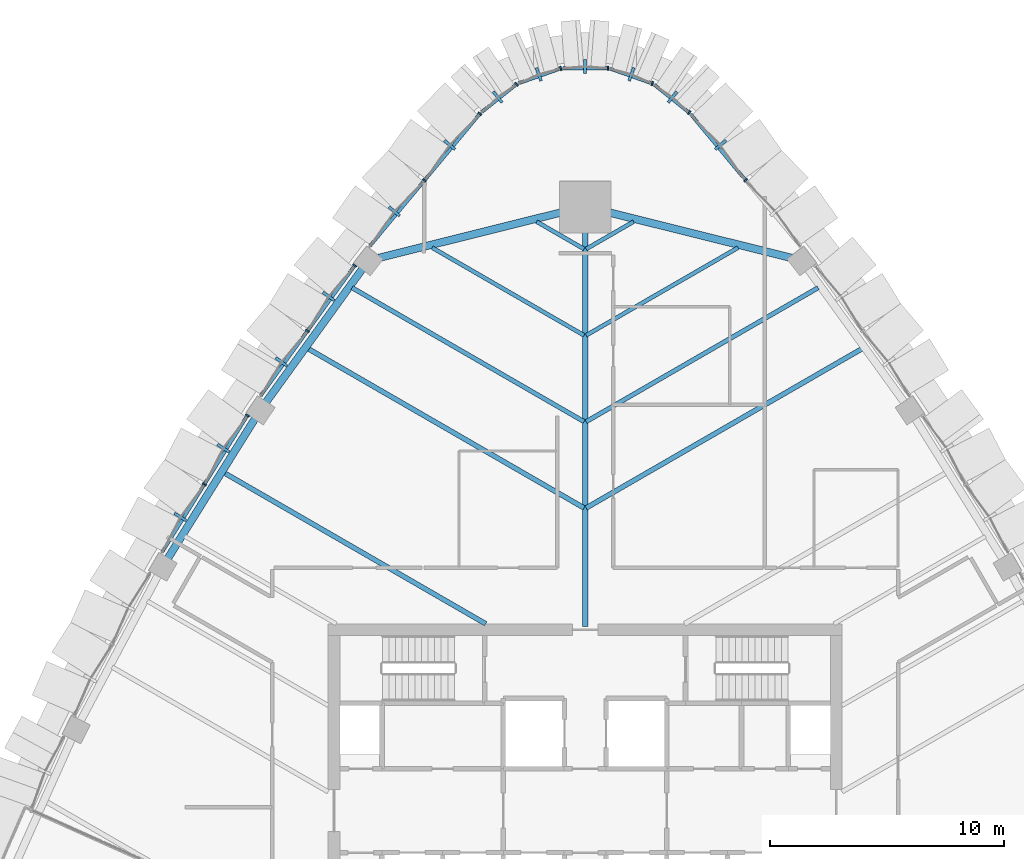
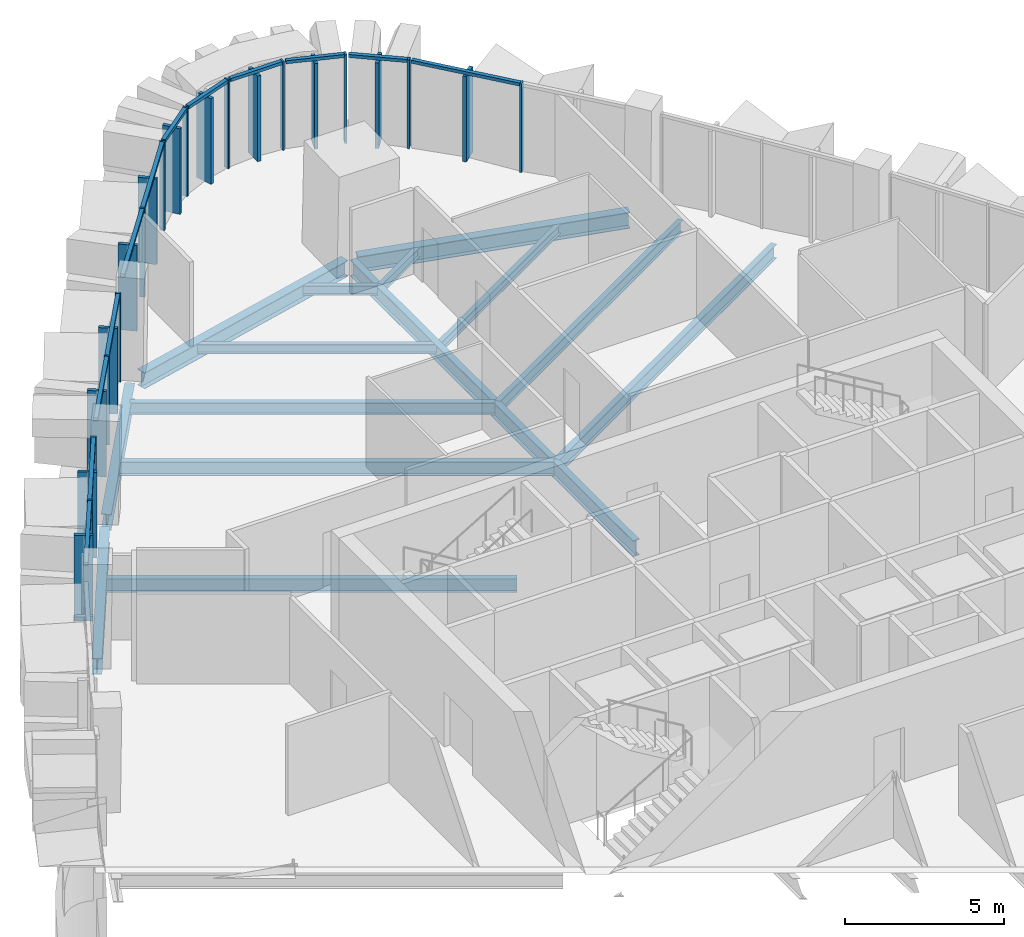
# One storey, part 6 of 22: 36 members, 14 beams, 9 elements without a shape of their own.
"""IFC4 building model written with IfcOpenShell, lengths in metres."""

import ifcopenshell
import ifcopenshell.guid

model = None  # the IFC model being written
_history = None  # IfcOwnerHistory: only IFC2X3 demands one
_inside = {}  # id of a spatial element -> (the spatial element, [elements in it])
_under = {}  # id of a project, library or spatial element -> (it, [spatial elements below it])
_declared = {}  # id of a project -> (the project, [libraries it declares])
_typed = {}  # id of a type object -> (the type object, [elements of that type])
_made_of = {}  # id of a material, layer set ... -> (it, [elements and type objects made of it])


def new_model(schema):
    """Start an empty IFC model of exactly this schema.

    Asked for "IFC4X3", IfcOpenShell would pick the latest addendum, in which some entities
    have other attributes; the version numbers below select the first issue.
    IFC2X3 requires an IfcOwnerHistory on every rooted entity: one is made here for all.
    """
    global model, _history
    if schema == "IFC4X3":
        model = ifcopenshell.file(schema_version=(4, 3, 0, 0))
    else:
        model = ifcopenshell.file(schema=schema)
    _inside.clear()
    _under.clear()
    _declared.clear()
    _typed.clear()
    _made_of.clear()
    _history = None
    if model.schema == "IFC2X3":
        org = make("IfcOrganization", Name="unknown")
        user = make(
            "IfcPersonAndOrganization",
            ThePerson=make("IfcPerson", FamilyName="unknown"),
            TheOrganization=org,
        )
        app = make(
            "IfcApplication",
            ApplicationDeveloper=org,
            Version="unknown",
            ApplicationFullName="unknown",
            ApplicationIdentifier="unknown",
        )
        _history = make(
            "IfcOwnerHistory",
            OwningUser=user,
            OwningApplication=app,
            ChangeAction="ADDED",
            CreationDate=0,
        )
    return model


def make(cls, **values):
    """One entity of the class cls with the attributes given. An attribute that is None is left unset."""
    return model.create_entity(
        cls, **{name: value for name, value in values.items() if value is not None}
    )


def rooted(cls, **values):
    """An entity with a GlobalId (a new one), such as an element, a storey or a relation."""
    return make(cls, GlobalId=ifcopenshell.guid.new(), OwnerHistory=_history, **values)


def si_unit(unit_type, name, prefix=None):
    """IfcSIUnit, for example si_unit("LENGTHUNIT", "METRE", prefix="MILLI")."""
    return make("IfcSIUnit", UnitType=unit_type, Prefix=prefix, Name=name)


def assignment(units):
    """IfcUnitAssignment: the units of a project."""
    return None if units is None else make("IfcUnitAssignment", Units=units)


def point(xyz):
    """IfcCartesianPoint."""
    return None if xyz is None else make("IfcCartesianPoint", Coordinates=xyz)


def direction(xyz):
    """IfcDirection."""
    return None if xyz is None else make("IfcDirection", DirectionRatios=xyz)


def frame(location, z_axis=None, x_axis=None):
    """IfcAxis2Placement3D, a coordinate frame: its origin and axes. An axis left out is left unset."""
    return make(
        "IfcAxis2Placement3D",
        Location=point(location),
        Axis=direction(z_axis),
        RefDirection=direction(x_axis),
    )


def frame_2d(location, x_axis=None):
    """IfcAxis2Placement2D, a coordinate frame in the plane: its origin and x axis."""
    return make(
        "IfcAxis2Placement2D", Location=point(location), RefDirection=direction(x_axis)
    )


def origin():
    """The frame at (0, 0, 0) with its axes left unset."""
    return frame((0.0, 0.0, 0.0))


def origin_2d():
    """The frame at (0, 0) in the plane with its x axis left unset."""
    return frame_2d((0.0, 0.0))


def place(relative_to, where):
    """IfcLocalPlacement: puts the frame where relative to a parent placement (None: the world)."""
    return make(
        "IfcLocalPlacement", PlacementRelTo=relative_to, RelativePlacement=where
    )


def context(
    kind, dimensions, precision=None, world=None, true_north=None, identifier=None
):
    """IfcGeometricRepresentationContext, for example the 3D "Model" context."""
    return make(
        "IfcGeometricRepresentationContext",
        ContextIdentifier=identifier,
        ContextType=kind,
        CoordinateSpaceDimension=dimensions,
        Precision=precision,
        WorldCoordinateSystem=world,
        TrueNorth=true_north,
    )


def subcontext(parent, identifier, kind, view, scale=None):
    """IfcGeometricRepresentationSubContext, for example "Body" below "Model"."""
    return make(
        "IfcGeometricRepresentationSubContext",
        ContextIdentifier=identifier,
        ContextType=kind,
        ParentContext=parent,
        TargetScale=scale,
        TargetView=view,
    )


def project(units=None, contexts=None):
    """IfcProject with its units and contexts."""
    return rooted(
        "IfcProject",
        Name="project",
        RepresentationContexts=contexts,
        UnitsInContext=assignment(units),
    )


def spatial(cls, under=None, at=None, **own):
    """A site, building, storey or space (cls), placed at a placement, below another one or the project."""
    s = rooted(cls, ObjectPlacement=at, **own)
    if under is not None:
        _under.setdefault(under.id(), (under, []))[1].append(s)
    return s


def profile(cls, at=None, kind="AREA", **sizes):
    """A parametric profile (cls). Its sizes go by their IFC names, for example OverallWidth=200.0."""
    return make(cls, ProfileType=kind, Position=at, **sizes)


def rectangle(**sizes):
    """IfcRectangleProfileDef."""
    return profile("IfcRectangleProfileDef", **sizes)


def i_section(**sizes):
    """IfcIShapeProfileDef."""
    return profile("IfcIShapeProfileDef", **sizes)


def extrude(swept, where, along, depth):
    """IfcExtrudedAreaSolid: the profile swept, set in the frame where, extruded along a direction by depth."""
    return make(
        "IfcExtrudedAreaSolid",
        SweptArea=swept,
        Position=where,
        ExtrudedDirection=direction(along),
        Depth=depth,
    )


def shape(context_of_items, identifier, shape_type, items):
    """IfcShapeRepresentation: the items that make up one representation, for example the "Body"."""
    return make(
        "IfcShapeRepresentation",
        ContextOfItems=context_of_items,
        RepresentationIdentifier=identifier,
        RepresentationType=shape_type,
        Items=items,
    )


def material(Name=None, Category=None):
    """IfcMaterial."""
    return make("IfcMaterial", Name=Name, Category=Category)


def layer(
    of_material, thickness, ventilated=None, Name=None, Category=None, Priority=None
):
    """IfcMaterialLayer: one layer of a wall or slab, of a material (None: an air gap)."""
    return make(
        "IfcMaterialLayer",
        Material=of_material,
        LayerThickness=thickness,
        IsVentilated=ventilated,
        Name=Name,
        Category=Category,
        Priority=Priority,
    )


def layer_set(layers, Name=None):
    """IfcMaterialLayerSet."""
    return make("IfcMaterialLayerSet", MaterialLayers=layers, LayerSetName=Name)


def material_profile(
    of_material, cross_section, Name=None, Category=None, Priority=None
):
    """IfcMaterialProfile: a cross section and its material."""
    return make(
        "IfcMaterialProfile",
        Name=Name,
        Material=of_material,
        Profile=cross_section,
        Priority=Priority,
        Category=Category,
    )


def profile_set(profiles, Name=None, composite=None):
    """IfcMaterialProfileSet."""
    return make(
        "IfcMaterialProfileSet",
        Name=Name,
        MaterialProfiles=profiles,
        CompositeProfile=composite,
    )


def made_of(thing, what):
    """Note that an element or type object is made of a material, layer set ...; save() writes the relation."""
    if what is not None:
        _made_of.setdefault(what.id(), (what, []))[1].append(thing)
    return thing


def type_object(cls, material=None, **own):
    """A type object (cls), such as IfcWallType, which elements share."""
    return made_of(rooted(cls, **own), material)


def element(
    cls,
    number,
    at=None,
    inside=None,
    cuts=None,
    type_object=None,
    material=None,
    context=None,
    identifier="Body",
    shape_type=None,
    held_by="IfcProductDefinitionShape",
    body=None,
    shapes=None,
    **own,
):
    """One element of the class cls, such as IfcWall. Its Tag is "e" and its number.

    at: its placement. inside: the storey or other place that contains it. cuts: it is an
    opening in that element (IfcRelVoidsElement). A single representation is given by context,
    identifier, shape_type and body (its items); several are given by shapes. held_by: the class
    of the entity that holds the representations. save() writes the other relations.
    """
    e = rooted(cls, Tag="e%d" % number, ObjectPlacement=at, **own)
    if body is not None:
        shapes = [shape(context, identifier, shape_type, body)]
    if shapes is not None:
        e.Representation = make(held_by, Representations=shapes)
    if inside is not None:
        _inside.setdefault(inside.id(), (inside, []))[1].append(e)
    if cuts is not None:
        rooted(
            "IfcRelVoidsElement", RelatingBuildingElement=cuts, RelatedOpeningElement=e
        )
    if type_object is not None:
        _typed.setdefault(type_object.id(), (type_object, []))[1].append(e)
    return made_of(e, material)


def aggregate(whole, parts):
    """IfcRelAggregates: a whole, such as a stair, and the parts it consists of."""
    return rooted("IfcRelAggregates", RelatingObject=whole, RelatedObjects=parts)


def save(model, path):
    """Write the relations noted so far, then the file.

    IfcRelAggregates (storeys below a building ...), IfcRelContainedInSpatialStructure (elements
    in a storey), IfcRelDefinesByType, IfcRelAssociatesMaterial and IfcRelDeclares: one each for
    every whole, place, type object, material and project.
    """
    for whole, parts in _under.values():
        aggregate(whole, parts)
    for where, things in _inside.values():
        rooted(
            "IfcRelContainedInSpatialStructure",
            RelatedElements=things,
            RelatingStructure=where,
        )
    for kind, things in _typed.values():
        rooted("IfcRelDefinesByType", RelatedObjects=things, RelatingType=kind)
    for what, things in _made_of.values():
        rooted("IfcRelAssociatesMaterial", RelatedObjects=things, RelatingMaterial=what)
    for by, libraries in _declared.values():
        rooted("IfcRelDeclares", RelatingContext=by, RelatedDefinitions=libraries)
    model.write(path)


model = new_model("IFC4")

# Units and contexts
model_context = context("Model", 3, precision=1e-05, world=origin(), true_north=direction((0.0, 1.0)))
body_context = subcontext(model_context, "Body", "Model", "MODEL_VIEW")
ifc_project = project(units=[si_unit("LENGTHUNIT", "METRE"), si_unit("AREAUNIT", "SQUARE_METRE"), si_unit("VOLUMEUNIT", "CUBIC_METRE"), si_unit("PLANEANGLEUNIT", "RADIAN"), si_unit("MASSUNIT", "GRAM", prefix="KILO")], contexts=[model_context])

# Site, building, storey
site_placement = place(None, origin())
site = spatial("IfcSite", under=ifc_project, at=site_placement, CompositionType="ELEMENT")
building_placement = place(site_placement, origin())
building = spatial("IfcBuilding", under=site, at=building_placement, Name="Sierra Prisma Convention Tower", CompositionType="ELEMENT")
storey_placement = place(building_placement, frame((0.0, 0.0, 227.0)))
storey = spatial("IfcBuildingStorey", under=building, at=storey_placement, Name="L50", CompositionType="ELEMENT", Elevation=227.0)

# Curtain wall, member
ifc_material_1 = material(Name="Aluminium and glass curtain wall", Category="aluminium")
ifc_layer = layer(ifc_material_1, 0.179931640625)
ifc_layer_set = layer_set([ifc_layer], Name="CW-2 Faceted crystal curtain wall")
curtain_wall_type = type_object("IfcCurtainWallType", Name="CW-2 Faceted crystal curtain wall", PredefinedType="NOTDEFINED", material=ifc_layer_set)
curtain_wall_1_placement = place(storey_placement, origin())
curtain_wall_1 = element("IfcCurtainWall", 1, at=curtain_wall_1_placement, inside=storey, type_object=curtain_wall_type, Name="CW-2 NE6 L50", PredefinedType="NOTDEFINED")
ifc_material_2 = material(Name="Aluminium 6063-T6 bronze anodised", Category="aluminium")
ifc_material_profile_1 = material_profile(ifc_material_2, rectangle(XDim=0.1201171875, YDim=0.60009765625, at=origin_2d()), Name="ALU RIDGE BLADE 120x600")
ifc_profile_set_1 = profile_set([ifc_material_profile_1], Name="Aluminium 6063-T6 bronze anodised")
member_type_1 = type_object("IfcMemberType", Name="CW hip bronze", PredefinedType="MULLION", material=ifc_profile_set_1)
member_1_placement = place(storey_placement, frame((5.801513671875, 28.50732421875, 0.0), z_axis=(0.0, 0.0, 1.0), x_axis=(-0.639492009569, 0.768797743036, 0.0)))
member_1 = element("IfcMember", 2, at=member_1_placement, type_object=member_type_1, Name="CW-2 ridge NE6.2", PredefinedType="MULLION", context=body_context, shape_type="SweptSolid", body=[
    extrude(rectangle(XDim=0.1201171875, YDim=0.60009765625, at=origin_2d()), origin(), (0.0, 0.0, 1.0), 3.280029296875),
])

curtain_wall_2_placement = place(storey_placement, origin())
curtain_wall_2 = element("IfcCurtainWall", 3, at=curtain_wall_2_placement, inside=storey, type_object=curtain_wall_type, Name="CW-2 N1 L50", PredefinedType="NOTDEFINED")
member_2_placement = place(storey_placement, frame((3.74365234375, 30.553466796875, 0.0), z_axis=(0.0, 0.0, 1.0), x_axis=(-0.781126060135, 0.624373348388, 0.0)))
member_2 = element("IfcMember", 4, at=member_2_placement, type_object=member_type_1, Name="CW-2 ridge N1.1", PredefinedType="MULLION", context=body_context, shape_type="SweptSolid", body=[
    extrude(rectangle(XDim=0.1201171875, YDim=0.60009765625, at=origin_2d()), origin(), (0.0, 0.0, 1.0), 3.280029296875),
])

curtain_wall_3_placement = place(storey_placement, origin())
curtain_wall_3 = element("IfcCurtainWall", 5, at=curtain_wall_3_placement, inside=storey, type_object=curtain_wall_type, Name="CW-2 N2 L50", PredefinedType="NOTDEFINED")
member_3_placement = place(storey_placement, frame((1.9833984375, 31.5283203125, 0.0), z_axis=(0.0, 0.0, 1.0), x_axis=(-0.943696471363, 0.330812590356, 0.0)))
member_3 = element("IfcMember", 6, at=member_3_placement, type_object=member_type_1, Name="CW-2 ridge N2.1", PredefinedType="MULLION", context=body_context, shape_type="SweptSolid", body=[
    extrude(rectangle(XDim=0.1201171875, YDim=0.60009765625, at=origin_2d()), origin(), (0.0, 0.0, 1.0), 3.280029296875),
])

curtain_wall_4_placement = place(storey_placement, origin())
curtain_wall_4 = element("IfcCurtainWall", 7, at=curtain_wall_4_placement, inside=storey, type_object=curtain_wall_type, Name="CW-2 N3 L50", PredefinedType="NOTDEFINED")
member_4_placement = place(storey_placement, frame((0.0, 31.86572265625, 0.0), z_axis=(0.0, 0.0, 1.0), x_axis=(-1.0, 0.0, 0.0)))
member_4 = element("IfcMember", 8, at=member_4_placement, type_object=member_type_1, Name="CW-2 ridge N3.1", PredefinedType="MULLION", context=body_context, shape_type="SweptSolid", body=[
    extrude(rectangle(XDim=0.1201171875, YDim=0.60009765625, at=origin_2d()), origin(), (0.0, 0.0, 1.0), 3.280029296875),
])

curtain_wall_5_placement = place(storey_placement, origin())
curtain_wall_5 = element("IfcCurtainWall", 9, at=curtain_wall_5_placement, inside=storey, type_object=curtain_wall_type, Name="CW-2 N4 L50", PredefinedType="NOTDEFINED")
member_5_placement = place(storey_placement, frame((-1.9833984375, 31.5283203125, 0.0), z_axis=(0.0, 0.0, 1.0), x_axis=(-0.943696471363, -0.330812590356, 0.0)))
member_5 = element("IfcMember", 10, at=member_5_placement, type_object=member_type_1, Name="CW-2 ridge N4.1", PredefinedType="MULLION", context=body_context, shape_type="SweptSolid", body=[
    extrude(rectangle(XDim=0.1201171875, YDim=0.60009765625, at=origin_2d()), origin(), (0.0, 0.0, 1.0), 3.280029296875),
])

curtain_wall_6_placement = place(storey_placement, origin())
curtain_wall_6 = element("IfcCurtainWall", 11, at=curtain_wall_6_placement, inside=storey, type_object=curtain_wall_type, Name="CW-2 N5 L50", PredefinedType="NOTDEFINED")
member_6_placement = place(storey_placement, frame((-3.74365234375, 30.553466796875, 0.0), z_axis=(0.0, 0.0, 1.0), x_axis=(-0.781126060135, -0.624373348388, 0.0)))
member_6 = element("IfcMember", 12, at=member_6_placement, type_object=member_type_1, Name="CW-2 ridge N5.1", PredefinedType="MULLION", context=body_context, shape_type="SweptSolid", body=[
    extrude(rectangle(XDim=0.1201171875, YDim=0.60009765625, at=origin_2d()), origin(), (0.0, 0.0, 1.0), 3.280029296875),
])

# Curtain wall, members
curtain_wall_7_placement = place(storey_placement, origin())
curtain_wall_7 = element("IfcCurtainWall", 13, at=curtain_wall_7_placement, inside=storey, type_object=curtain_wall_type, Name="CW-2 NW1 L50", PredefinedType="NOTDEFINED")
member_7_placement = place(storey_placement, frame((-5.801513671875, 28.50732421875, 0.0), z_axis=(0.0, 0.0, 1.0), x_axis=(-0.639492009569, -0.768797743036, 0.0)))
member_7 = element("IfcMember", 14, at=member_7_placement, type_object=member_type_1, Name="CW-2 ridge NW1.1", PredefinedType="MULLION", context=body_context, shape_type="SweptSolid", body=[
    extrude(rectangle(XDim=0.1201171875, YDim=0.60009765625, at=origin_2d()), origin(), (0.0, 0.0, 1.0), 3.280029296875),
])
member_8_placement = place(storey_placement, frame((-8.170166015625, 25.65966796875, 0.0), z_axis=(0.0, 0.0, 1.0), x_axis=(-0.639492009569, -0.768797743036, 0.0)))
member_8 = element("IfcMember", 15, at=member_8_placement, type_object=member_type_1, Name="CW-2 ridge NW1.2", PredefinedType="MULLION", context=body_context, shape_type="SweptSolid", body=[
    extrude(rectangle(XDim=0.1201171875, YDim=0.60009765625, at=origin_2d()), origin(), (0.0, 0.0, 1.0), 3.280029296875),
])

curtain_wall_8_placement = place(storey_placement, origin())
curtain_wall_8 = element("IfcCurtainWall", 16, at=curtain_wall_8_placement, inside=storey, type_object=curtain_wall_type, Name="CW-2 NW2 L50", PredefinedType="NOTDEFINED")
member_9_placement = place(storey_placement, frame((-10.98486328125, 22.02001953125, 0.0), z_axis=(0.0, 0.0, 1.0), x_axis=(-0.58569876934, -0.810528809848, 0.0)))
member_9 = element("IfcMember", 17, at=member_9_placement, type_object=member_type_1, Name="CW-2 ridge NW2.1", PredefinedType="MULLION", context=body_context, shape_type="SweptSolid", body=[
    extrude(rectangle(XDim=0.1201171875, YDim=0.60009765625, at=origin_2d()), origin(), (0.0, 0.0, 1.0), 3.280029296875),
])
member_10_placement = place(storey_placement, frame((-13.009521484375, 19.218017578125, 0.0), z_axis=(0.0, 0.0, 1.0), x_axis=(-0.58569876934, -0.810528809848, 0.0)))
member_10 = element("IfcMember", 18, at=member_10_placement, type_object=member_type_1, Name="CW-2 ridge NW2.2", PredefinedType="MULLION", context=body_context, shape_type="SweptSolid", body=[
    extrude(rectangle(XDim=0.1201171875, YDim=0.60009765625, at=origin_2d()), origin(), (0.0, 0.0, 1.0), 3.280029296875),
])

curtain_wall_9_placement = place(storey_placement, origin())
curtain_wall_9 = element("IfcCurtainWall", 19, at=curtain_wall_9_placement, inside=storey, type_object=curtain_wall_type, Name="CW-2 NW3 L50", PredefinedType="NOTDEFINED")
member_11_placement = place(storey_placement, frame((-15.493408203125, 15.521484375, 0.0), z_axis=(0.0, 0.0, 1.0), x_axis=(-0.52919070132, -0.848502917872, 0.0)))
member_11 = element("IfcMember", 20, at=member_11_placement, type_object=member_type_1, Name="CW-2 ridge NW3.1", PredefinedType="MULLION", context=body_context, shape_type="SweptSolid", body=[
    extrude(rectangle(XDim=0.1201171875, YDim=0.60009765625, at=origin_2d()), origin(), (0.0, 0.0, 1.0), 3.280029296875),
])
member_12_placement = place(storey_placement, frame((-17.331298828125, 12.574951171875, 0.0), z_axis=(0.0, 0.0, 1.0), x_axis=(-0.52919070132, -0.848502917872, 0.0)))
member_12 = element("IfcMember", 21, at=member_12_placement, type_object=member_type_1, Name="CW-2 ridge NW3.2", PredefinedType="MULLION", context=body_context, shape_type="SweptSolid", body=[
    extrude(rectangle(XDim=0.1201171875, YDim=0.60009765625, at=origin_2d()), origin(), (0.0, 0.0, 1.0), 3.280029296875),
])

# Member
ifc_material_3 = material(Name="Aluminium 6063-T6 bronze anodised", Category="aluminium")
ifc_material_profile_2 = material_profile(ifc_material_3, rectangle(XDim=0.179931640625, YDim=0.070068359375, at=origin_2d()), Name="ALU MULLION 70x180")
ifc_profile_set_2 = profile_set([ifc_material_profile_2], Name="Aluminium 6063-T6 bronze anodised")
member_type_2 = type_object("IfcMemberType", Name="CW mullion bronze", PredefinedType="MULLION", material=ifc_profile_set_2)
member_13_placement = place(storey_placement, frame((6.875732421875, 26.9921875, 0.0), z_axis=(0.0, 0.0, 1.0), x_axis=(-0.768797743036, -0.639492009569, 0.0)))
member_13 = element("IfcMember", 22, at=member_13_placement, type_object=member_type_2, Name="CW-1 mullion NE6.2", PredefinedType="MULLION", context=body_context, shape_type="SweptSolid", body=[
    extrude(rectangle(XDim=0.179931640625, YDim=0.070068359375, at=origin_2d()), origin(), (0.0, 0.0, 1.0), 3.39990234375),
])

member_14_placement = place(storey_placement, frame((4.45751953125, 29.888427734375, 0.0), z_axis=(0.0, 0.0, 1.0), x_axis=(-0.624373348388, -0.781126060135, 0.0)))
member_14 = element("IfcMember", 23, at=member_14_placement, type_object=member_type_2, Name="CW-1 mullion N1.1", PredefinedType="MULLION", context=body_context, shape_type="SweptSolid", body=[
    extrude(rectangle(XDim=0.179931640625, YDim=0.070068359375, at=origin_2d()), origin(), (0.0, 0.0, 1.0), 3.39990234375),
])

member_15_placement = place(storey_placement, frame((2.877197265625, 31.13671875, 0.0), z_axis=(0.0, 0.0, 1.0), x_axis=(-0.330812590356, -0.943696471363, 0.0)))
member_15 = element("IfcMember", 24, at=member_15_placement, type_object=member_type_2, Name="CW-1 mullion N2.1", PredefinedType="MULLION", context=body_context, shape_type="SweptSolid", body=[
    extrude(rectangle(XDim=0.179931640625, YDim=0.070068359375, at=origin_2d()), origin(), (0.0, 0.0, 1.0), 3.39990234375),
])

member_16_placement = place(storey_placement, frame((0.972900390625, 31.7919921875, 0.0), z_axis=(0.0, 0.0, 1.0), x_axis=(0.0, -1.0, 0.0)))
member_16 = element("IfcMember", 25, at=member_16_placement, type_object=member_type_2, Name="CW-1 mullion N3.1", PredefinedType="MULLION", context=body_context, shape_type="SweptSolid", body=[
    extrude(rectangle(XDim=0.179931640625, YDim=0.070068359375, at=origin_2d()), origin(), (0.0, 0.0, 1.0), 3.39990234375),
])

member_17_placement = place(storey_placement, frame((-1.041015625, 31.780517578125, 0.0), z_axis=(0.0, 0.0, 1.0), x_axis=(0.330812590356, -0.943696471363, 0.0)))
member_17 = element("IfcMember", 26, at=member_17_placement, type_object=member_type_2, Name="CW-1 mullion N4.1", PredefinedType="MULLION", context=body_context, shape_type="SweptSolid", body=[
    extrude(rectangle(XDim=0.179931640625, YDim=0.070068359375, at=origin_2d()), origin(), (0.0, 0.0, 1.0), 3.39990234375),
])

member_18_placement = place(storey_placement, frame((-2.9375, 31.103271484375, 0.0), z_axis=(0.0, 0.0, 1.0), x_axis=(0.624373348388, -0.781126060135, 0.0)))
member_18 = element("IfcMember", 27, at=member_18_placement, type_object=member_type_2, Name="CW-1 mullion N5.1", PredefinedType="MULLION", context=body_context, shape_type="SweptSolid", body=[
    extrude(rectangle(XDim=0.179931640625, YDim=0.070068359375, at=origin_2d()), origin(), (0.0, 0.0, 1.0), 3.39990234375),
])

member_19_placement = place(storey_placement, frame((-4.50732421875, 29.839599609375, 0.0), z_axis=(0.0, 0.0, 1.0), x_axis=(0.768797743036, -0.639492009569, 0.0)))
member_19 = element("IfcMember", 28, at=member_19_placement, type_object=member_type_2, Name="CW-1 mullion NW1.1", PredefinedType="MULLION", context=body_context, shape_type="SweptSolid", body=[
    extrude(rectangle(XDim=0.179931640625, YDim=0.070068359375, at=origin_2d()), origin(), (0.0, 0.0, 1.0), 3.39990234375),
])

member_20_placement = place(storey_placement, frame((-6.875732421875, 26.9921875, 0.0), z_axis=(0.0, 0.0, 1.0), x_axis=(0.768797743036, -0.639492009569, 0.0)))
member_20 = element("IfcMember", 29, at=member_20_placement, type_object=member_type_2, Name="CW-1 mullion NW1.2", PredefinedType="MULLION", context=body_context, shape_type="SweptSolid", body=[
    extrude(rectangle(XDim=0.179931640625, YDim=0.070068359375, at=origin_2d()), origin(), (0.0, 0.0, 1.0), 3.39990234375),
])

member_21_placement = place(storey_placement, frame((-9.864501953125, 23.3427734375, 0.0), z_axis=(0.0, 0.0, 1.0), x_axis=(0.810528809848, -0.58569876934, 0.0)))
member_21 = element("IfcMember", 30, at=member_21_placement, type_object=member_type_2, Name="CW-1 mullion NW2.1", PredefinedType="MULLION", context=body_context, shape_type="SweptSolid", body=[
    extrude(rectangle(XDim=0.179931640625, YDim=0.070068359375, at=origin_2d()), origin(), (0.0, 0.0, 1.0), 3.39990234375),
])

member_22_placement = place(storey_placement, frame((-11.88916015625, 20.541015625, 0.0), z_axis=(0.0, 0.0, 1.0), x_axis=(0.810528809848, -0.58569876934, 0.0)))
member_22 = element("IfcMember", 31, at=member_22_placement, type_object=member_type_2, Name="CW-1 mullion NW2.2", PredefinedType="MULLION", context=body_context, shape_type="SweptSolid", body=[
    extrude(rectangle(XDim=0.179931640625, YDim=0.070068359375, at=origin_2d()), origin(), (0.0, 0.0, 1.0), 3.39990234375),
])

member_23_placement = place(storey_placement, frame((-14.4609375, 16.924072265625, 0.0), z_axis=(0.0, 0.0, 1.0), x_axis=(0.848502917872, -0.52919070132, 0.0)))
member_23 = element("IfcMember", 32, at=member_23_placement, type_object=member_type_2, Name="CW-1 mullion NW3.1", PredefinedType="MULLION", context=body_context, shape_type="SweptSolid", body=[
    extrude(rectangle(XDim=0.179931640625, YDim=0.070068359375, at=origin_2d()), origin(), (0.0, 0.0, 1.0), 3.39990234375),
])

member_24_placement = place(storey_placement, frame((-16.298828125, 13.9775390625, 0.0), z_axis=(0.0, 0.0, 1.0), x_axis=(0.848502917872, -0.52919070132, 0.0)))
member_24 = element("IfcMember", 33, at=member_24_placement, type_object=member_type_2, Name="CW-1 mullion NW3.2", PredefinedType="MULLION", context=body_context, shape_type="SweptSolid", body=[
    extrude(rectangle(XDim=0.179931640625, YDim=0.070068359375, at=origin_2d()), origin(), (0.0, 0.0, 1.0), 3.39990234375),
])

ifc_material_4 = material(Name="Aluminium 6063-T6 bronze anodised", Category="aluminium")
ifc_material_profile_3 = material_profile(ifc_material_4, rectangle(XDim=0.139892578125, YDim=0.1201171875, at=origin_2d()), Name="ALU TRANSOM 120x140")
ifc_profile_set_3 = profile_set([ifc_material_profile_3], Name="Aluminium 6063-T6 bronze anodised")
member_type_3 = type_object("IfcMemberType", Name="CW transom bronze", PredefinedType="USERDEFINED", material=ifc_profile_set_3)
member_25_placement = place(storey_placement, frame((6.853515625, 27.01904296875, 3.340087890625), z_axis=(-0.639516731669, 0.768777178326, 0.0), x_axis=(-0.768777178326, -0.639516731669, 0.0)))
member_25 = element("IfcMember", 34, at=member_25_placement, type_object=member_type_3, Name="CW-1 transom NE6.2", ObjectType="TRANSOM", PredefinedType="USERDEFINED", context=body_context, shape_type="SweptSolid", body=[
    extrude(rectangle(XDim=0.139892578125, YDim=0.1201171875, at=origin_2d()), origin(), (0.0, 0.0, 1.0), 3.634033203125),
])

aggregate(curtain_wall_1, [member_13, member_25, member_1])

member_26_placement = place(storey_placement, frame((4.43017578125, 29.91015625, 3.340087890625), z_axis=(-0.781097294851, 0.624409333671, 0.0), x_axis=(-0.624409333671, -0.781097294851, 0.0)))
member_26 = element("IfcMember", 35, at=member_26_placement, type_object=member_type_3, Name="CW-1 transom N1.1", ObjectType="TRANSOM", PredefinedType="USERDEFINED", context=body_context, shape_type="SweptSolid", body=[
    extrude(rectangle(XDim=0.139892578125, YDim=0.1201171875, at=origin_2d()), origin(), (0.0, 0.0, 1.0), 1.8759765625),
])

aggregate(curtain_wall_2, [member_14, member_26, member_2])

member_27_placement = place(storey_placement, frame((2.84423828125, 31.148193359375, 3.340087890625), z_axis=(-0.943689826326, 0.33083154579, 0.0), x_axis=(-0.33083154579, -0.943689826326, 0.0)))
member_27 = element("IfcMember", 36, at=member_27_placement, type_object=member_type_3, Name="CW-1 transom N2.1", ObjectType="TRANSOM", PredefinedType="USERDEFINED", context=body_context, shape_type="SweptSolid", body=[
    extrude(rectangle(XDim=0.139892578125, YDim=0.1201171875, at=origin_2d()), origin(), (0.0, 0.0, 1.0), 1.8759765625),
])

aggregate(curtain_wall_3, [member_15, member_27, member_3])

member_28_placement = place(storey_placement, frame((0.93798828125, 31.7919921875, 3.340087890625), z_axis=(-1.0, 0.0, 0.0), x_axis=(0.0, -1.0, 0.0)))
member_28 = element("IfcMember", 37, at=member_28_placement, type_object=member_type_3, Name="CW-1 transom N3.1", ObjectType="TRANSOM", PredefinedType="USERDEFINED", context=body_context, shape_type="SweptSolid", body=[
    extrude(rectangle(XDim=0.139892578125, YDim=0.1201171875, at=origin_2d()), origin(), (0.0, 0.0, 1.0), 1.8759765625),
])

aggregate(curtain_wall_4, [member_16, member_28, member_4])

member_29_placement = place(storey_placement, frame((-1.073974609375, 31.768798828125, 3.340087890625), z_axis=(-0.943689826326, -0.33083154579, 0.0), x_axis=(0.33083154579, -0.943689826326, 0.0)))
member_29 = element("IfcMember", 38, at=member_29_placement, type_object=member_type_3, Name="CW-1 transom N4.1", ObjectType="TRANSOM", PredefinedType="USERDEFINED", context=body_context, shape_type="SweptSolid", body=[
    extrude(rectangle(XDim=0.139892578125, YDim=0.1201171875, at=origin_2d()), origin(), (0.0, 0.0, 1.0), 1.8759765625),
])

aggregate(curtain_wall_5, [member_17, member_29, member_5])

member_30_placement = place(storey_placement, frame((-2.96484375, 31.08154296875, 3.340087890625), z_axis=(-0.781097294851, -0.624409333671, 0.0), x_axis=(0.624409333671, -0.781097294851, 0.0)))
member_30 = element("IfcMember", 39, at=member_30_placement, type_object=member_type_3, Name="CW-1 transom N5.1", ObjectType="TRANSOM", PredefinedType="USERDEFINED", context=body_context, shape_type="SweptSolid", body=[
    extrude(rectangle(XDim=0.139892578125, YDim=0.1201171875, at=origin_2d()), origin(), (0.0, 0.0, 1.0), 1.8759765625),
])

aggregate(curtain_wall_6, [member_18, member_30, member_6])

member_31_placement = place(storey_placement, frame((-4.529541015625, 29.812744140625, 3.340087890625), z_axis=(-0.639516731669, -0.768777178326, 0.0), x_axis=(0.768777178326, -0.639516731669, 0.0)))
member_31 = element("IfcMember", 40, at=member_31_placement, type_object=member_type_3, Name="CW-1 transom NW1.1", ObjectType="TRANSOM", PredefinedType="USERDEFINED", context=body_context, shape_type="SweptSolid", body=[
    extrude(rectangle(XDim=0.139892578125, YDim=0.1201171875, at=origin_2d()), origin(), (0.0, 0.0, 1.0), 3.634033203125),
])

member_32_placement = place(storey_placement, frame((-6.898193359375, 26.965087890625, 3.340087890625), z_axis=(-0.639477022615, -0.768810209055, 0.0), x_axis=(0.768810209055, -0.639477022615, 0.0)))
member_32 = element("IfcMember", 41, at=member_32_placement, type_object=member_type_3, Name="CW-1 transom NW1.2", ObjectType="TRANSOM", PredefinedType="USERDEFINED", context=body_context, shape_type="SweptSolid", body=[
    extrude(rectangle(XDim=0.139892578125, YDim=0.1201171875, at=origin_2d()), origin(), (0.0, 0.0, 1.0), 3.6337890625),
])

aggregate(curtain_wall_7, [member_19, member_20, member_31, member_7, member_32, member_8])

member_33_placement = place(storey_placement, frame((-9.885009765625, 23.314453125, 3.340087890625), z_axis=(-0.585695825616, -0.810530937013, 0.0), x_axis=(0.810530937013, -0.585695825616, 0.0)))
member_33 = element("IfcMember", 42, at=member_33_placement, type_object=member_type_3, Name="CW-1 transom NW2.1", ObjectType="TRANSOM", PredefinedType="USERDEFINED", context=body_context, shape_type="SweptSolid", body=[
    extrude(rectangle(XDim=0.139892578125, YDim=0.1201171875, at=origin_2d()), origin(), (0.0, 0.0, 1.0), 3.38671875),
])

member_34_placement = place(storey_placement, frame((-11.90966796875, 20.5126953125, 3.340087890625), z_axis=(-0.585695825616, -0.810530937013, 0.0), x_axis=(0.810530937013, -0.585695825616, 0.0)))
member_34 = element("IfcMember", 43, at=member_34_placement, type_object=member_type_3, Name="CW-1 transom NW2.2", ObjectType="TRANSOM", PredefinedType="USERDEFINED", context=body_context, shape_type="SweptSolid", body=[
    extrude(rectangle(XDim=0.139892578125, YDim=0.1201171875, at=origin_2d()), origin(), (0.0, 0.0, 1.0), 3.38671875),
])

aggregate(curtain_wall_8, [member_21, member_22, member_33, member_9, member_34, member_10])

member_35_placement = place(storey_placement, frame((-14.4794921875, 16.894287109375, 3.340087890625), z_axis=(-0.529211904338, -0.848489693695, 0.0), x_axis=(0.848489693695, -0.529211904338, 0.0)))
member_35 = element("IfcMember", 44, at=member_35_placement, type_object=member_type_3, Name="CW-1 transom NW3.1", ObjectType="TRANSOM", PredefinedType="USERDEFINED", context=body_context, shape_type="SweptSolid", body=[
    extrude(rectangle(XDim=0.139892578125, YDim=0.1201171875, at=origin_2d()), origin(), (0.0, 0.0, 1.0), 3.40283203125),
])

member_36_placement = place(storey_placement, frame((-16.3173828125, 13.94775390625, 3.340087890625), z_axis=(-0.529160247648, -0.84852191033, 0.0), x_axis=(0.84852191033, -0.529160247648, 0.0)))
member_36 = element("IfcMember", 45, at=member_36_placement, type_object=member_type_3, Name="CW-1 transom NW3.2", ObjectType="TRANSOM", PredefinedType="USERDEFINED", context=body_context, shape_type="SweptSolid", body=[
    extrude(rectangle(XDim=0.139892578125, YDim=0.1201171875, at=origin_2d()), origin(), (0.0, 0.0, 1.0), 3.402587890625),
])

aggregate(curtain_wall_9, [member_23, member_24, member_35, member_11, member_36, member_12])

# Beams
ifc_material_5 = material(Name="Steel ASTM A992 Gr 50", Category="steel")
ifc_material_profile_4 = material_profile(ifc_material_5, i_section(OverallWidth=0.172119140625, OverallDepth=0.35791015625, WebThickness=0.0078125, FlangeThickness=0.01318359375, at=origin_2d()), Name="W360x57")
ifc_profile_set_4 = profile_set([ifc_material_profile_4], Name="Steel ASTM A992 Gr 50")
beam_type_1 = type_object("IfcBeamType", Name="Floor joist W360x57", PredefinedType="JOIST", material=ifc_profile_set_4)
beam_1_placement = place(storey_placement, frame((6.546875, 24.106201171875, -0.3291015625), z_axis=(-0.866035021915, -0.49998334054, 0.0), x_axis=(0.49998334054, -0.866035021915, 0.0)))
element("IfcBeam", 46, at=beam_1_placement, inside=storey, type_object=beam_type_1, Name="Floor joist L50 NE13", PredefinedType="JOIST", context=body_context, shape_type="SweptSolid", body=[
    extrude(i_section(OverallWidth=0.172119140625, OverallDepth=0.35791015625, WebThickness=0.0078125, FlangeThickness=0.01318359375, at=origin_2d()), origin(), (0.0, 0.0, 1.0), 7.506591796875),
])
for number, where, z_axis, x_axis, name in (
    (47, (2.076171875, 25.220703125, -0.3291015625), (-0.86608153646, -0.499902762748, 0.0), (0.499902762748, -0.86608153646, 0.0), "Floor joist L50 NE14"),
    (48, (-2.076171875, 25.220703125, -0.3291015625), (0.86608153646, -0.499902762748, 0.0), (0.499902762748, 0.86608153646, 0.0), "Floor joist L50 NW01"),
):
    element("IfcBeam", number, at=place(storey_placement, frame(where, z_axis=z_axis, x_axis=x_axis)), inside=storey, type_object=beam_type_1, Name=name, PredefinedType="JOIST", context=body_context, shape_type="SweptSolid", body=[
        extrude(i_section(OverallWidth=0.172119140625, OverallDepth=0.35791015625, WebThickness=0.0078125, FlangeThickness=0.01318359375, at=origin_2d()), origin(), (0.0, 0.0, 1.0), 2.34423828125),
    ])
beam_2_placement = place(storey_placement, frame((-6.546875, 24.106201171875, -0.3291015625), z_axis=(0.866035021915, -0.49998334054, 0.0), x_axis=(0.49998334054, 0.866035021915, 0.0)))
element("IfcBeam", 49, at=beam_2_placement, inside=storey, type_object=beam_type_1, Name="Floor joist L50 NW02", PredefinedType="JOIST", context=body_context, shape_type="SweptSolid", body=[
    extrude(i_section(OverallWidth=0.172119140625, OverallDepth=0.35791015625, WebThickness=0.0078125, FlangeThickness=0.01318359375, at=origin_2d()), origin(), (0.0, 0.0, 1.0), 7.506591796875),
])
ifc_material_6 = material(Name="Steel ASTM A992 Gr 50", Category="steel")
ifc_material_profile_5 = material_profile(ifc_material_6, i_section(OverallWidth=0.18994140625, OverallDepth=0.45703125, WebThickness=0.009033203125, FlangeThickness=0.014404296875, at=origin_2d()), Name="W460x74")
ifc_profile_set_5 = profile_set([ifc_material_profile_5], Name="Steel ASTM A992 Gr 50")
beam_type_2 = type_object("IfcBeamType", Name="Floor joist W460x74", PredefinedType="JOIST", material=ifc_profile_set_5)
for number, where, z_axis, x_axis, name in (
    (50, (9.980224609375, 22.392822265625, -0.37841796875), (-0.866025033342, -0.500000641624, 0.0), (0.500000641624, -0.866025033342, 0.0), "Floor joist L50 NE12"),
    (51, (-9.980224609375, 22.392822265625, -0.37841796875), (0.866025033342, -0.500000641624, 0.0), (0.500000641624, 0.866025033342, 0.0), "Floor joist L50 NW03"),
):
    element("IfcBeam", number, at=place(storey_placement, frame(where, z_axis=z_axis, x_axis=x_axis)), inside=storey, type_object=beam_type_2, Name=name, PredefinedType="JOIST", context=body_context, shape_type="SweptSolid", body=[
        extrude(i_section(OverallWidth=0.18994140625, OverallDepth=0.45703125, WebThickness=0.009033203125, FlangeThickness=0.014404296875, at=origin_2d()), origin(), (0.0, 0.0, 1.0), 11.47119140625),
    ])
ifc_material_7 = material(Name="Steel ASTM A992 Gr 50", Category="steel")
ifc_material_profile_6 = material_profile(ifc_material_7, i_section(OverallWidth=0.208984375, OverallDepth=0.532958984375, WebThickness=0.01025390625, FlangeThickness=0.015625, at=origin_2d()), Name="W530x92")
ifc_profile_set_6 = profile_set([ifc_material_profile_6], Name="Steel ASTM A992 Gr 50")
beam_type_3 = type_object("IfcBeamType", Name="Floor joist W530x92", PredefinedType="JOIST", material=ifc_profile_set_6)
for number, where, z_axis, x_axis, name in (
    (52, (11.86474609375, 19.78515625, -0.41650390625), (-0.866029482463, -0.499992935455, 0.0), (0.499992935455, -0.866029482463, 0.0), "Floor joist L50 NE11"),
    (53, (-11.86474609375, 19.78515625, -0.41650390625), (0.866029482463, -0.499992935455, 0.0), (0.499992935455, 0.866029482463, 0.0), "Floor joist L50 NW04"),
):
    element("IfcBeam", number, at=place(storey_placement, frame(where, z_axis=z_axis, x_axis=x_axis)), inside=storey, type_object=beam_type_3, Name=name, PredefinedType="JOIST", context=body_context, shape_type="SweptSolid", body=[
        extrude(i_section(OverallWidth=0.208984375, OverallDepth=0.532958984375, WebThickness=0.01025390625, FlangeThickness=0.015625, at=origin_2d()), origin(), (0.0, 0.0, 1.0), 13.647216796875),
    ])
beam_3_placement = place(storey_placement, frame((-15.450439453125, 14.4638671875, -0.41650390625), z_axis=(0.866026455764, -0.499998177914, 0.0), x_axis=(0.499998177914, 0.866026455764, 0.0)))
element("IfcBeam", 54, at=beam_3_placement, inside=storey, type_object=beam_type_3, Name="Floor joist L50 NW06", PredefinedType="JOIST", context=body_context, shape_type="SweptSolid", body=[
    extrude(i_section(OverallWidth=0.208984375, OverallDepth=0.532958984375, WebThickness=0.01025390625, FlangeThickness=0.015625, at=origin_2d()), origin(), (0.0, 0.0, 1.0), 12.927734375),
])
ifc_material_8 = material(Name="Steel ASTM A992 Gr 50", Category="steel")
ifc_material_profile_7 = material_profile(ifc_material_8, i_section(OverallWidth=0.22998046875, OverallDepth=0.616943359375, WebThickness=0.01318359375, FlangeThickness=0.022216796875, at=origin_2d()), Name="W610x140")
ifc_profile_set_7 = profile_set([ifc_material_profile_7], Name="Steel ASTM A992 Gr 50")
beam_type_4 = type_object("IfcBeamType", Name="Radial girder W610x140", PredefinedType="BEAM", material=ifc_profile_set_7)
beam_4_placement = place(storey_placement, frame((0.0, 25.64990234375, -0.45849609375), z_axis=(0.0, -1.0, 0.0), x_axis=(1.0, 0.0, 0.0)))
element("IfcBeam", 55, at=beam_4_placement, inside=storey, type_object=beam_type_4, Name="Radial girder L50 N", PredefinedType="BEAM", context=body_context, shape_type="SweptSolid", body=[
    extrude(i_section(OverallWidth=0.22998046875, OverallDepth=0.616943359375, WebThickness=0.01318359375, FlangeThickness=0.022216796875, at=origin_2d()), origin(), (0.0, 0.0, 1.0), 17.77001953125),
])
ifc_material_9 = material(Name="Steel ASTM A992 Gr 50", Category="steel")
ifc_material_profile_8 = material_profile(ifc_material_9, i_section(OverallWidth=0.324951171875, OverallDepth=0.615966796875, WebThickness=0.013916015625, FlangeThickness=0.021484375, at=origin_2d()), Name="W610x174")
ifc_profile_set_8 = profile_set([ifc_material_profile_8], Name="Steel ASTM A992 Gr 50")
beam_type_5 = type_object("IfcBeamType", Name="Spandrel beam W610x174", PredefinedType="BEAM", material=ifc_profile_set_8)
for number, where, z_axis, x_axis, name in (
    (56, (8.8388671875, 23.666748046875, -0.4580078125), (-0.970308799233, 0.241869456796, 0.0), (-0.241869456796, -0.970308799233, 0.0), "Spandrel L50-12"),
    (57, (-0.219970703125, 25.815185546875, -0.4580078125), (-0.970308799233, -0.241869456796, 0.0), (0.241869456796, -0.970308799233, 0.0), "Spandrel L50-13"),
):
    element("IfcBeam", number, at=place(storey_placement, frame(where, z_axis=z_axis, x_axis=x_axis)), inside=storey, type_object=beam_type_5, Name=name, PredefinedType="BEAM", context=body_context, shape_type="SweptSolid", body=[
        extrude(i_section(OverallWidth=0.324951171875, OverallDepth=0.615966796875, WebThickness=0.013916015625, FlangeThickness=0.021484375, at=origin_2d()), origin(), (0.0, 0.0, 1.0), 8.882568359375),
    ])
for number, where, z_axis, x_axis, name in (
    (58, (-9.471435546875, 23.28955078125, -0.4580078125), (-0.585689894077, -0.810535223155, 0.0), (0.810535223155, -0.585689894077, 0.0), "Spandrel L50-14"),
    (59, (-14.08203125, 16.87060546875, -0.4580078125), (-0.529204932033, -0.848494042355, 0.0), (0.848494042355, -0.529204932033, 0.0), "Spandrel L50-15"),
):
    element("IfcBeam", number, at=place(storey_placement, frame(where, z_axis=z_axis, x_axis=x_axis)), inside=storey, type_object=beam_type_5, Name=name, PredefinedType="BEAM", context=body_context, shape_type="SweptSolid", body=[
        extrude(i_section(OverallWidth=0.324951171875, OverallDepth=0.615966796875, WebThickness=0.013916015625, FlangeThickness=0.021484375, at=origin_2d()), origin(), (0.0, 0.0, 1.0), 7.243408203125),
    ])

save(model, "model.ifc")
